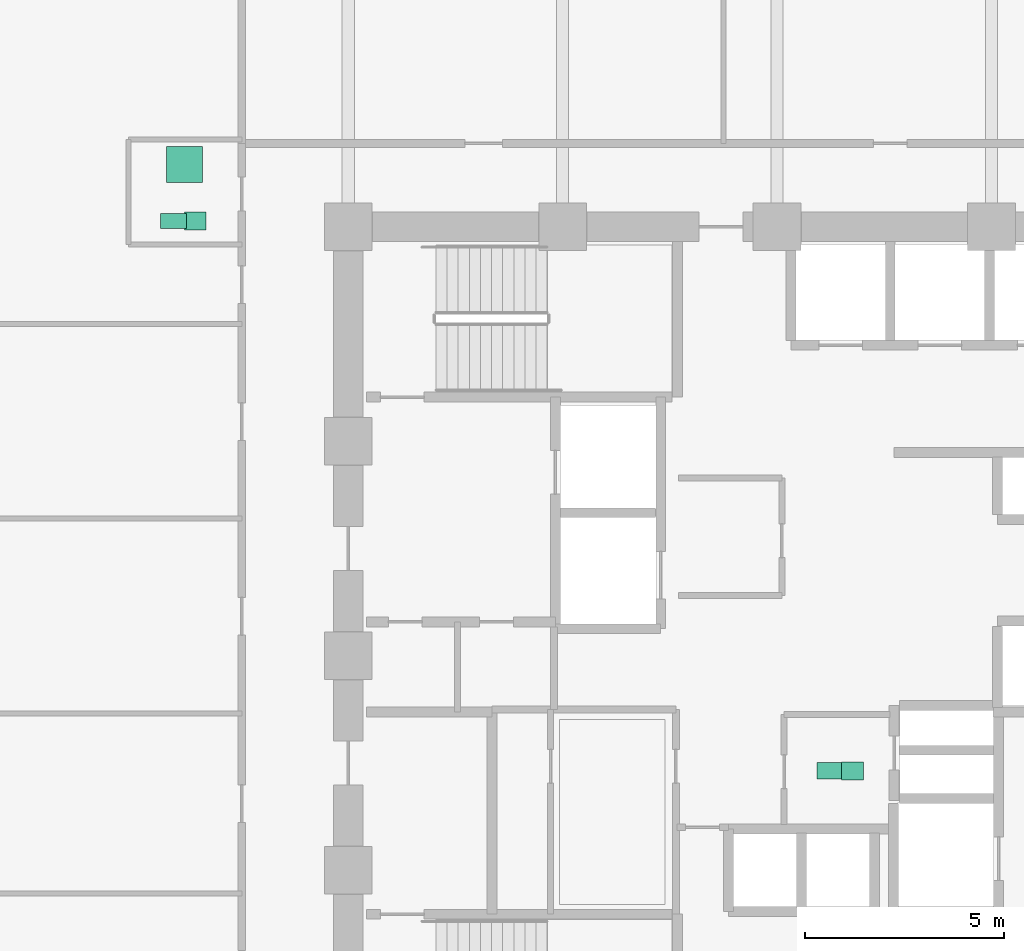
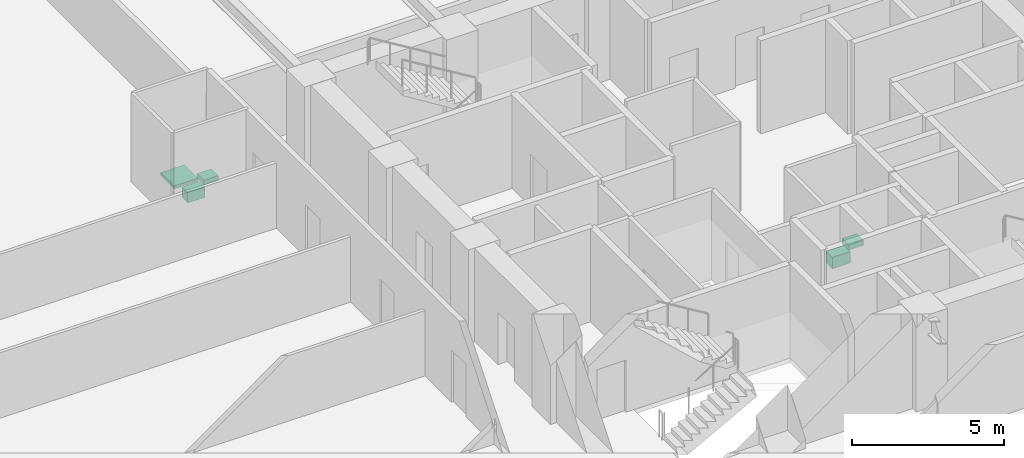
# One storey, part 25 of 25: 5 sanitary terminals.
"""IFC4 building model written with IfcOpenShell, lengths in metres."""

from ifc_helpers import new_model, si_unit, direction, frame, origin, origin_2d, place, context, subcontext, project, spatial, rectangle, extrude, material, type_object, element, save


model = new_model("IFC4")

# Units and contexts
model_context = context("Model", 3, precision=1e-05, world=origin(), true_north=direction((0.0, 1.0)))
body_context = subcontext(model_context, "Body", "Model", "MODEL_VIEW")
ifc_project = project(units=[si_unit("LENGTHUNIT", "METRE"), si_unit("AREAUNIT", "SQUARE_METRE"), si_unit("VOLUMEUNIT", "CUBIC_METRE"), si_unit("PLANEANGLEUNIT", "RADIAN"), si_unit("MASSUNIT", "GRAM", prefix="KILO")], contexts=[model_context])

# Site, building, storey
site_placement = place(None, origin())
site = spatial("IfcSite", under=ifc_project, at=site_placement, CompositionType="ELEMENT")
building_placement = place(site_placement, origin())
building = spatial("IfcBuilding", under=site, at=building_placement, Name="Surkhivell Harbour Commons", CompositionType="ELEMENT")
storey_placement = place(building_placement, frame((0.0, 0.0, 37.5)))
storey = spatial("IfcBuildingStorey", under=building, at=storey_placement, Name="L09", CompositionType="ELEMENT", Elevation=37.5)

# Sanitary terminals
ifc_material_1 = material(Name="Vitreous china washbasin", Category="other")
sanitary_terminal_type_1 = type_object("IfcSanitaryTerminalType", Name="SAN-BSN", PredefinedType="WASHHANDBASIN", material=ifc_material_1)
for number, where, z_axis, x_axis, name in (
    (1, (1.89990234375, -2.89990234375, 0.72021484375), (0.0, 0.0, 1.0), (1.0, 0.0, 0.0), "L09 Core Accessible WC Washbasin"),
    (2, (-14.64990234375, 10.949951171875, 0.72021484375), (0.0, 0.0, 1.0), (1.0, 0.0, 0.0), "L09 West Communal Bathroom WC Washbasin"),
):
    element("IfcSanitaryTerminal", number, at=place(storey_placement, frame(where, z_axis=z_axis, x_axis=x_axis)), inside=storey, type_object=sanitary_terminal_type_1, Name=name, PredefinedType="WASHHANDBASIN", context=body_context, shape_type="SweptSolid", body=[
        extrude(rectangle(XDim=0.550048828125, YDim=0.449951171875, at=origin_2d()), origin(), (0.0, 0.0, 1.0), 0.199951171875),
    ])
ifc_material_2 = material(Name="Glazed porcelain shower tray", Category="other")
sanitary_terminal_type_2 = type_object("IfcSanitaryTerminalType", Name="SAN-SHW", PredefinedType="SHOWER", material=ifc_material_2)
sanitary_terminal_1_placement = place(storey_placement, frame((-14.919921875, 12.3701171875, 0.0), z_axis=(0.0, 0.0, 1.0), x_axis=(1.0, 0.0, 0.0)))
element("IfcSanitaryTerminal", 3, at=sanitary_terminal_1_placement, inside=storey, type_object=sanitary_terminal_type_2, Name="L09 West Communal Shower Tray", PredefinedType="SHOWER", context=body_context, shape_type="SweptSolid", body=[
    extrude(rectangle(XDim=0.89990234375, YDim=0.89990234375, at=origin_2d()), origin(), (0.0, 0.0, 1.0), 0.1201171875),
])
ifc_material_3 = material(Name="Vitreous china sanitaryware", Category="other")
sanitary_terminal_type_3 = type_object("IfcSanitaryTerminalType", Name="SAN-WC-ACC", PredefinedType="TOILETPAN", material=ifc_material_3)
sanitary_terminal_2_placement = place(storey_placement, frame((1.35009765625, -2.89990234375, 0.169921875), z_axis=(0.0, 0.0, 1.0), x_axis=(1.0, 0.0, 0.0)))
element("IfcSanitaryTerminal", 4, at=sanitary_terminal_2_placement, inside=storey, type_object=sanitary_terminal_type_3, Name="L09 Core Accessible WC", PredefinedType="TOILETPAN", context=body_context, shape_type="SweptSolid", body=[
    extrude(rectangle(XDim=0.699951171875, YDim=0.419921875, at=origin_2d()), origin(), (0.0, 0.0, 1.0), 0.4599609375),
])
sanitary_terminal_type_4 = type_object("IfcSanitaryTerminalType", Name="SAN-WC-STD", PredefinedType="TOILETPAN", material=ifc_material_3)
sanitary_terminal_3_placement = place(storey_placement, frame((-15.199951171875, 10.949951171875, 0.18994140625), z_axis=(0.0, 0.0, 1.0), x_axis=(1.0, 0.0, 0.0)))
element("IfcSanitaryTerminal", 5, at=sanitary_terminal_3_placement, inside=storey, type_object=sanitary_terminal_type_4, Name="L09 West Communal Bathroom WC", PredefinedType="TOILETPAN", context=body_context, shape_type="SweptSolid", body=[
    extrude(rectangle(XDim=0.64990234375, YDim=0.3798828125, at=origin_2d()), origin(), (0.0, 0.0, 1.0), 0.419921875),
])

save(model, "model.ifc")
